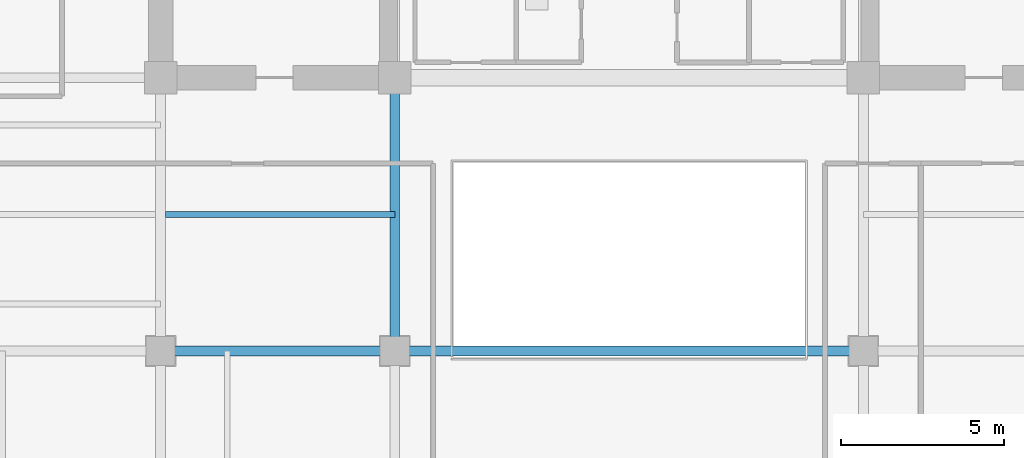
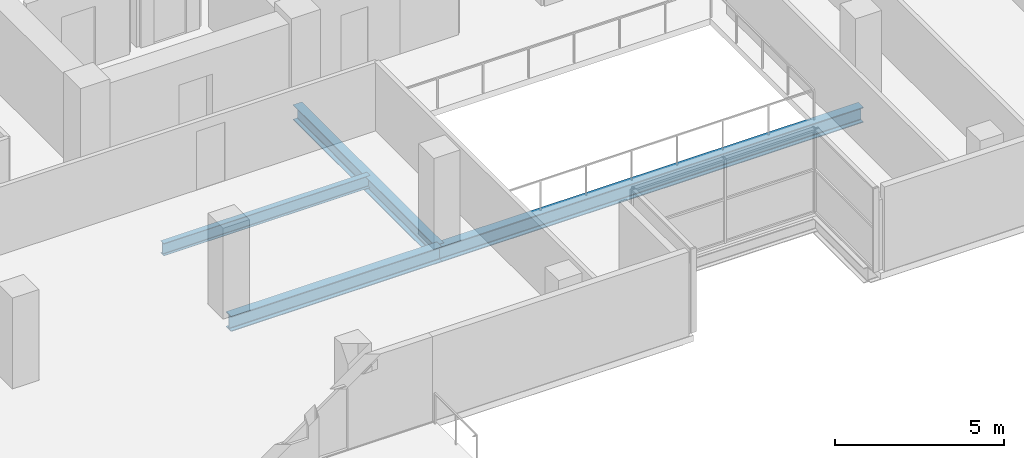
# One storey, part 4 of 22: 4 beams.
"""IFC4 building model written with IfcOpenShell, lengths in metres."""

from ifc_helpers import new_model, si_unit, direction, frame, origin, origin_2d, place, context, subcontext, project, spatial, i_section, extrude, material, material_profile, profile_set, type_object, element, save


model = new_model("IFC4")

# Units and contexts
model_context = context("Model", 3, precision=1e-05, world=origin(), true_north=direction((0.0, 1.0)))
body_context = subcontext(model_context, "Body", "Model", "MODEL_VIEW")
ifc_project = project(units=[si_unit("LENGTHUNIT", "METRE"), si_unit("AREAUNIT", "SQUARE_METRE"), si_unit("VOLUMEUNIT", "CUBIC_METRE"), si_unit("PLANEANGLEUNIT", "RADIAN"), si_unit("MASSUNIT", "GRAM", prefix="KILO")], contexts=[model_context])

# Site, building, storey
site_placement = place(None, origin())
site = spatial("IfcSite", under=ifc_project, at=site_placement, CompositionType="ELEMENT")
building_placement = place(site_placement, origin())
building = spatial("IfcBuilding", under=site, at=building_placement, Name="Zarnakvel Exchange Tower", CompositionType="ELEMENT")
storey_placement = place(building_placement, frame((0.0, 0.0, 136.300048828125)))
storey = spatial("IfcBuildingStorey", under=building, at=storey_placement, Name="L38", CompositionType="ELEMENT", Elevation=136.300048828125)

# Beams
ifc_material = material(Name="Steel S355", Category="steel")
ifc_material_profile_1 = material_profile(ifc_material, i_section(OverallWidth=0.18994140625, OverallDepth=0.449951171875, WebThickness=0.009521484375, FlangeThickness=0.0146484375, FilletRadius=0.02099609375, at=origin_2d()))
ifc_profile_set_1 = profile_set([ifc_material_profile_1], Name="Steel S355")
beam_type_1 = type_object("IfcBeamType", Name="B-05", PredefinedType="JOIST", material=ifc_profile_set_1)
beam_1_placement = place(storey_placement, frame((-14.25, -5.39990234375, -0.449951171875), z_axis=(1.0, 0.0, 0.0), x_axis=(0.0, 1.0, 0.0)))
element("IfcBeam", 1, at=beam_1_placement, inside=storey, type_object=beam_type_1, Name="L38 Composite Floor Secondary Joist", PredefinedType="JOIST", context=body_context, shape_type="SweptSolid", body=[
    extrude(i_section(OverallWidth=0.18994140625, OverallDepth=0.449951171875, WebThickness=0.009521484375, FlangeThickness=0.0146484375, FilletRadius=0.02099609375, at=origin_2d()), origin(), (0.0, 0.0, 1.0), 7.050048828125),
])
ifc_material_profile_2 = material_profile(ifc_material, i_section(OverallWidth=0.300048828125, OverallDepth=0.550048828125, WebThickness=0.014892578125, FlangeThickness=0.029052734375, FilletRadius=0.027099609375, at=origin_2d()))
ifc_profile_set_2 = profile_set([ifc_material_profile_2], Name="Steel S355")
beam_type_2 = type_object("IfcBeamType", Name="G-05", PredefinedType="BEAM", material=ifc_profile_set_2)
beam_2_placement = place(storey_placement, frame((-14.39990234375, -9.60009765625, -0.5), z_axis=(1.0, 0.0, 0.0), x_axis=(0.0, 1.0, 0.0)))
element("IfcBeam", 2, at=beam_2_placement, inside=storey, type_object=beam_type_2, Name="L38 Tower E-W Frame Beam", PredefinedType="BEAM", context=body_context, shape_type="SweptSolid", body=[
    extrude(i_section(OverallWidth=0.300048828125, OverallDepth=0.550048828125, WebThickness=0.014892578125, FlangeThickness=0.029052734375, FilletRadius=0.027099609375, at=origin_2d()), origin(), (0.0, 0.0, 1.0), 7.199951171875),
])
beam_3_placement = place(storey_placement, frame((-7.199951171875, -9.60009765625, -0.5), z_axis=(1.0, 0.0, 0.0), x_axis=(0.0, 1.0, 0.0)))
element("IfcBeam", 3, at=beam_3_placement, inside=storey, type_object=beam_type_2, Name="L38 Tower E-W Frame Beam", PredefinedType="BEAM", context=body_context, shape_type="SweptSolid", body=[
    extrude(i_section(OverallWidth=0.300048828125, OverallDepth=0.550048828125, WebThickness=0.014892578125, FlangeThickness=0.029052734375, FilletRadius=0.027099609375, at=origin_2d()), origin(), (0.0, 0.0, 1.0), 14.39990234375),
])
beam_4_placement = place(storey_placement, frame((-7.199951171875, -9.60009765625, -0.5), z_axis=(0.0, 1.0, 0.0), x_axis=(-1.0, 0.0, 0.0)))
element("IfcBeam", 4, at=beam_4_placement, inside=storey, type_object=beam_type_2, Name="L38 Tower N-S Frame Beam", PredefinedType="BEAM", context=body_context, shape_type="SweptSolid", body=[
    extrude(i_section(OverallWidth=0.300048828125, OverallDepth=0.550048828125, WebThickness=0.014892578125, FlangeThickness=0.029052734375, FilletRadius=0.027099609375, at=origin_2d()), origin(), (0.0, 0.0, 1.0), 8.400146484375),
])

save(model, "model.ifc")
